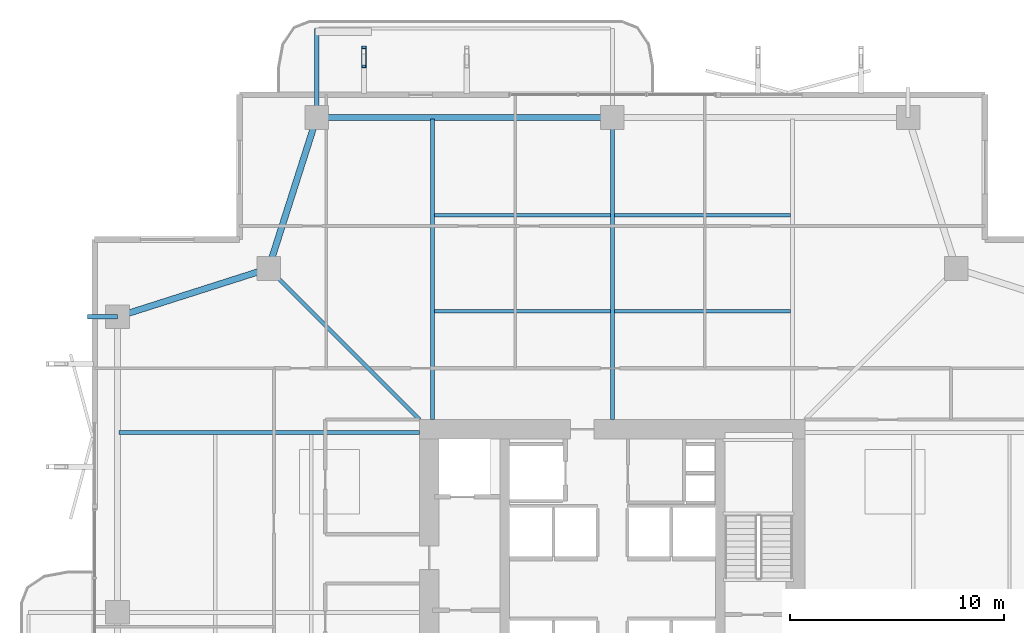
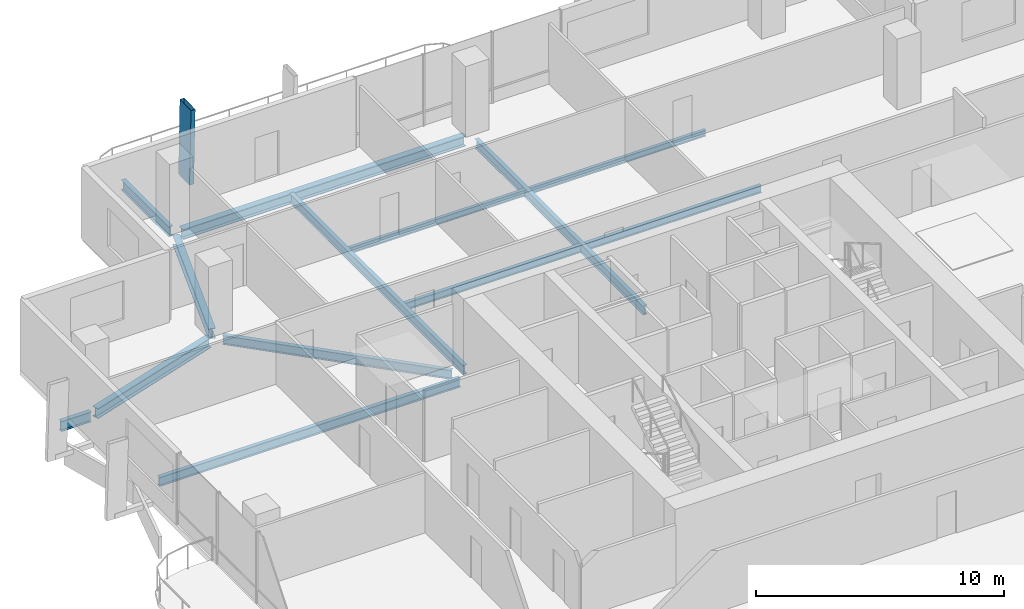
# One storey, part 12 of 24: 13 beams, 1 member.
"""IFC4 building model written with IfcOpenShell, lengths in metres."""

import ifcopenshell
import ifcopenshell.guid

model = None  # the IFC model being written
_history = None  # IfcOwnerHistory: only IFC2X3 demands one
_inside = {}  # id of a spatial element -> (the spatial element, [elements in it])
_under = {}  # id of a project, library or spatial element -> (it, [spatial elements below it])
_declared = {}  # id of a project -> (the project, [libraries it declares])
_typed = {}  # id of a type object -> (the type object, [elements of that type])
_made_of = {}  # id of a material, layer set ... -> (it, [elements and type objects made of it])


def new_model(schema):
    """Start an empty IFC model of exactly this schema.

    Asked for "IFC4X3", IfcOpenShell would pick the latest addendum, in which some entities
    have other attributes; the version numbers below select the first issue.
    IFC2X3 requires an IfcOwnerHistory on every rooted entity: one is made here for all.
    """
    global model, _history
    if schema == "IFC4X3":
        model = ifcopenshell.file(schema_version=(4, 3, 0, 0))
    else:
        model = ifcopenshell.file(schema=schema)
    _inside.clear()
    _under.clear()
    _declared.clear()
    _typed.clear()
    _made_of.clear()
    _history = None
    if model.schema == "IFC2X3":
        org = make("IfcOrganization", Name="unknown")
        user = make(
            "IfcPersonAndOrganization",
            ThePerson=make("IfcPerson", FamilyName="unknown"),
            TheOrganization=org,
        )
        app = make(
            "IfcApplication",
            ApplicationDeveloper=org,
            Version="unknown",
            ApplicationFullName="unknown",
            ApplicationIdentifier="unknown",
        )
        _history = make(
            "IfcOwnerHistory",
            OwningUser=user,
            OwningApplication=app,
            ChangeAction="ADDED",
            CreationDate=0,
        )
    return model


def make(cls, **values):
    """One entity of the class cls with the attributes given. An attribute that is None is left unset."""
    return model.create_entity(
        cls, **{name: value for name, value in values.items() if value is not None}
    )


def rooted(cls, **values):
    """An entity with a GlobalId (a new one), such as an element, a storey or a relation."""
    return make(cls, GlobalId=ifcopenshell.guid.new(), OwnerHistory=_history, **values)


def si_unit(unit_type, name, prefix=None):
    """IfcSIUnit, for example si_unit("LENGTHUNIT", "METRE", prefix="MILLI")."""
    return make("IfcSIUnit", UnitType=unit_type, Prefix=prefix, Name=name)


def assignment(units):
    """IfcUnitAssignment: the units of a project."""
    return None if units is None else make("IfcUnitAssignment", Units=units)


def point(xyz):
    """IfcCartesianPoint."""
    return None if xyz is None else make("IfcCartesianPoint", Coordinates=xyz)


def direction(xyz):
    """IfcDirection."""
    return None if xyz is None else make("IfcDirection", DirectionRatios=xyz)


def frame(location, z_axis=None, x_axis=None):
    """IfcAxis2Placement3D, a coordinate frame: its origin and axes. An axis left out is left unset."""
    return make(
        "IfcAxis2Placement3D",
        Location=point(location),
        Axis=direction(z_axis),
        RefDirection=direction(x_axis),
    )


def frame_2d(location, x_axis=None):
    """IfcAxis2Placement2D, a coordinate frame in the plane: its origin and x axis."""
    return make(
        "IfcAxis2Placement2D", Location=point(location), RefDirection=direction(x_axis)
    )


def origin():
    """The frame at (0, 0, 0) with its axes left unset."""
    return frame((0.0, 0.0, 0.0))


def origin_2d():
    """The frame at (0, 0) in the plane with its x axis left unset."""
    return frame_2d((0.0, 0.0))


def place(relative_to, where):
    """IfcLocalPlacement: puts the frame where relative to a parent placement (None: the world)."""
    return make(
        "IfcLocalPlacement", PlacementRelTo=relative_to, RelativePlacement=where
    )


def context(
    kind, dimensions, precision=None, world=None, true_north=None, identifier=None
):
    """IfcGeometricRepresentationContext, for example the 3D "Model" context."""
    return make(
        "IfcGeometricRepresentationContext",
        ContextIdentifier=identifier,
        ContextType=kind,
        CoordinateSpaceDimension=dimensions,
        Precision=precision,
        WorldCoordinateSystem=world,
        TrueNorth=true_north,
    )


def subcontext(parent, identifier, kind, view, scale=None):
    """IfcGeometricRepresentationSubContext, for example "Body" below "Model"."""
    return make(
        "IfcGeometricRepresentationSubContext",
        ContextIdentifier=identifier,
        ContextType=kind,
        ParentContext=parent,
        TargetScale=scale,
        TargetView=view,
    )


def project(units=None, contexts=None):
    """IfcProject with its units and contexts."""
    return rooted(
        "IfcProject",
        Name="project",
        RepresentationContexts=contexts,
        UnitsInContext=assignment(units),
    )


def spatial(cls, under=None, at=None, **own):
    """A site, building, storey or space (cls), placed at a placement, below another one or the project."""
    s = rooted(cls, ObjectPlacement=at, **own)
    if under is not None:
        _under.setdefault(under.id(), (under, []))[1].append(s)
    return s


def profile(cls, at=None, kind="AREA", **sizes):
    """A parametric profile (cls). Its sizes go by their IFC names, for example OverallWidth=200.0."""
    return make(cls, ProfileType=kind, Position=at, **sizes)


def hollow_rectangle(**sizes):
    """IfcRectangleHollowProfileDef."""
    return profile("IfcRectangleHollowProfileDef", **sizes)


def i_section(**sizes):
    """IfcIShapeProfileDef."""
    return profile("IfcIShapeProfileDef", **sizes)


def extrude(swept, where, along, depth):
    """IfcExtrudedAreaSolid: the profile swept, set in the frame where, extruded along a direction by depth."""
    return make(
        "IfcExtrudedAreaSolid",
        SweptArea=swept,
        Position=where,
        ExtrudedDirection=direction(along),
        Depth=depth,
    )


def shape(context_of_items, identifier, shape_type, items):
    """IfcShapeRepresentation: the items that make up one representation, for example the "Body"."""
    return make(
        "IfcShapeRepresentation",
        ContextOfItems=context_of_items,
        RepresentationIdentifier=identifier,
        RepresentationType=shape_type,
        Items=items,
    )


def material(Name=None, Category=None):
    """IfcMaterial."""
    return make("IfcMaterial", Name=Name, Category=Category)


def material_profile(
    of_material, cross_section, Name=None, Category=None, Priority=None
):
    """IfcMaterialProfile: a cross section and its material."""
    return make(
        "IfcMaterialProfile",
        Name=Name,
        Material=of_material,
        Profile=cross_section,
        Priority=Priority,
        Category=Category,
    )


def profile_set(profiles, Name=None, composite=None):
    """IfcMaterialProfileSet."""
    return make(
        "IfcMaterialProfileSet",
        Name=Name,
        MaterialProfiles=profiles,
        CompositeProfile=composite,
    )


def made_of(thing, what):
    """Note that an element or type object is made of a material, layer set ...; save() writes the relation."""
    if what is not None:
        _made_of.setdefault(what.id(), (what, []))[1].append(thing)
    return thing


def type_object(cls, material=None, **own):
    """A type object (cls), such as IfcWallType, which elements share."""
    return made_of(rooted(cls, **own), material)


def element(
    cls,
    number,
    at=None,
    inside=None,
    cuts=None,
    type_object=None,
    material=None,
    context=None,
    identifier="Body",
    shape_type=None,
    held_by="IfcProductDefinitionShape",
    body=None,
    shapes=None,
    **own,
):
    """One element of the class cls, such as IfcWall. Its Tag is "e" and its number.

    at: its placement. inside: the storey or other place that contains it. cuts: it is an
    opening in that element (IfcRelVoidsElement). A single representation is given by context,
    identifier, shape_type and body (its items); several are given by shapes. held_by: the class
    of the entity that holds the representations. save() writes the other relations.
    """
    e = rooted(cls, Tag="e%d" % number, ObjectPlacement=at, **own)
    if body is not None:
        shapes = [shape(context, identifier, shape_type, body)]
    if shapes is not None:
        e.Representation = make(held_by, Representations=shapes)
    if inside is not None:
        _inside.setdefault(inside.id(), (inside, []))[1].append(e)
    if cuts is not None:
        rooted(
            "IfcRelVoidsElement", RelatingBuildingElement=cuts, RelatedOpeningElement=e
        )
    if type_object is not None:
        _typed.setdefault(type_object.id(), (type_object, []))[1].append(e)
    return made_of(e, material)


def aggregate(whole, parts):
    """IfcRelAggregates: a whole, such as a stair, and the parts it consists of."""
    return rooted("IfcRelAggregates", RelatingObject=whole, RelatedObjects=parts)


def save(model, path):
    """Write the relations noted so far, then the file.

    IfcRelAggregates (storeys below a building ...), IfcRelContainedInSpatialStructure (elements
    in a storey), IfcRelDefinesByType, IfcRelAssociatesMaterial and IfcRelDeclares: one each for
    every whole, place, type object, material and project.
    """
    for whole, parts in _under.values():
        aggregate(whole, parts)
    for where, things in _inside.values():
        rooted(
            "IfcRelContainedInSpatialStructure",
            RelatedElements=things,
            RelatingStructure=where,
        )
    for kind, things in _typed.values():
        rooted("IfcRelDefinesByType", RelatedObjects=things, RelatingType=kind)
    for what, things in _made_of.values():
        rooted("IfcRelAssociatesMaterial", RelatedObjects=things, RelatingMaterial=what)
    for by, libraries in _declared.values():
        rooted("IfcRelDeclares", RelatingContext=by, RelatedDefinitions=libraries)
    model.write(path)


model = new_model("IFC4")

# Units and contexts
model_context = context("Model", 3, precision=1e-05, world=origin(), true_north=direction((0.0, 1.0)))
body_context = subcontext(model_context, "Body", "Model", "MODEL_VIEW")
ifc_project = project(units=[si_unit("LENGTHUNIT", "METRE"), si_unit("AREAUNIT", "SQUARE_METRE"), si_unit("VOLUMEUNIT", "CUBIC_METRE"), si_unit("PLANEANGLEUNIT", "RADIAN"), si_unit("MASSUNIT", "GRAM", prefix="KILO")], contexts=[model_context])

# Site, building, storey
site_placement = place(None, origin())
site = spatial("IfcSite", under=ifc_project, at=site_placement, CompositionType="ELEMENT")
building_placement = place(site_placement, origin())
building = spatial("IfcBuilding", under=site, at=building_placement, Name="Belovzor Exchange Tower", CompositionType="ELEMENT")
storey_placement = place(building_placement, frame((0.0, 0.0, 145.800048828125)))
storey = spatial("IfcBuildingStorey", under=building, at=storey_placement, Name="L35", CompositionType="ELEMENT", Elevation=145.800048828125)

# Beams
ifc_material_1 = material(Name="Steel S355", Category="steel")
ifc_material_profile_1 = material_profile(ifc_material_1, i_section(OverallWidth=0.199951171875, OverallDepth=0.5, WebThickness=0.01025390625, FlangeThickness=0.01611328125, at=origin_2d()))
ifc_profile_set_1 = profile_set([ifc_material_profile_1], Name="Steel S355")
beam_type_1 = type_object("IfcBeamType", Name="Planted Balcony Cantilever Beam IPE 500", PredefinedType="BEAM", material=ifc_profile_set_1)
beam_1_placement = place(storey_placement, frame((15.0, 52.202880859375, -0.505126953125), z_axis=(0.0, 1.0, 0.0), x_axis=(-1.0, 0.0, 0.0)))
element("IfcBeam", 1, at=beam_1_placement, inside=storey, type_object=beam_type_1, Name="BC-500 Planted Balcony Cantilever Beam IPE 500", PredefinedType="BEAM", context=body_context, shape_type="SweptSolid", body=[
    extrude(i_section(OverallWidth=0.199951171875, OverallDepth=0.5, WebThickness=0.01025390625, FlangeThickness=0.01611328125, at=origin_2d()), origin(), (0.0, 0.0, 1.0), 3.85009765625),
])
beam_2_placement = place(storey_placement, frame((5.699951171875, 42.60009765625, -0.505126953125), z_axis=(-1.0, 0.0, 0.0), x_axis=(0.0, -1.0, 0.0)))
element("IfcBeam", 2, at=beam_2_placement, inside=storey, type_object=beam_type_1, Name="BC-500 Planted Balcony Cantilever Beam IPE 500", PredefinedType="BEAM", context=body_context, shape_type="SweptSolid", body=[
    extrude(i_section(OverallWidth=0.199951171875, OverallDepth=0.5, WebThickness=0.01025390625, FlangeThickness=0.01611328125, at=origin_2d()), origin(), (0.0, 0.0, 1.0), 1.39990234375),
])
ifc_material_2 = material(Name="Steel S355", Category="steel")
ifc_material_profile_2 = material_profile(ifc_material_2, i_section(OverallWidth=0.169921875, OverallDepth=0.360107421875, WebThickness=0.008056640625, FlangeThickness=0.0126953125, at=origin_2d()))
ifc_profile_set_2 = profile_set([ifc_material_profile_2], Name="Steel S355")
beam_type_2 = type_object("IfcBeamType", Name="Secondary Infill Floor Joist IPE 360", PredefinedType="BEAM", material=ifc_profile_set_2)
for number, where, z_axis, x_axis, name in (
    (3, (20.4951171875, 42.84912109375, -0.43505859375), (1.0, 0.0, 0.0), (0.0, 1.0, 0.0), "FJ-360 Secondary Infill Floor Joist IPE 360"),
    (4, (28.89501953125, 42.84912109375, -0.43505859375), (1.0, 0.0, 0.0), (0.0, 1.0, 0.0), "FJ-360 Secondary Infill Floor Joist IPE 360"),
):
    element("IfcBeam", number, at=place(storey_placement, frame(where, z_axis=z_axis, x_axis=x_axis)), inside=storey, type_object=beam_type_2, Name=name, PredefinedType="BEAM", context=body_context, shape_type="SweptSolid", body=[
        extrude(i_section(OverallWidth=0.169921875, OverallDepth=0.360107421875, WebThickness=0.008056640625, FlangeThickness=0.0126953125, at=origin_2d()), origin(), (0.0, 0.0, 1.0), 8.2099609375),
    ])
ifc_material_3 = material(Name="Steel S355", Category="steel")
ifc_material_profile_3 = material_profile(ifc_material_3, i_section(OverallWidth=0.14990234375, OverallDepth=0.300048828125, WebThickness=0.007080078125, FlangeThickness=0.0107421875, at=origin_2d()))
ifc_profile_set_3 = profile_set([ifc_material_profile_3], Name="Steel S355")
beam_type_3 = type_object("IfcBeamType", Name="Secondary Trim Floor Joist IPE 300", PredefinedType="BEAM", material=ifc_profile_set_3)
for number, where, z_axis, x_axis, name in (
    (5, (20.4951171875, 47.3369140625, -0.405029296875), (1.0, 0.0, 0.0), (0.0, 1.0, 0.0), "FJ-300 Secondary Trim Floor Joist IPE 300"),
    (6, (28.89501953125, 47.3369140625, -0.405029296875), (1.0, 0.0, 0.0), (0.0, 1.0, 0.0), "FJ-300 Secondary Trim Floor Joist IPE 300"),
):
    element("IfcBeam", number, at=place(storey_placement, frame(where, z_axis=z_axis, x_axis=x_axis)), inside=storey, type_object=beam_type_3, Name=name, PredefinedType="BEAM", context=body_context, shape_type="SweptSolid", body=[
        extrude(i_section(OverallWidth=0.14990234375, OverallDepth=0.300048828125, WebThickness=0.007080078125, FlangeThickness=0.0107421875, at=origin_2d()), origin(), (0.0, 0.0, 1.0), 8.2099609375),
    ])

# Member
ifc_material_4 = material(Name="Extruded Architectural Terracotta on Steel S355 Carrier", Category="masonry")
ifc_material_profile_4 = material_profile(ifc_material_4, hollow_rectangle(XDim=0.199951171875, YDim=0.89990234375, WallThickness=0.011962890625, at=origin_2d()))
ifc_profile_set_4 = profile_set([ifc_material_profile_4], Name="Extruded Architectural Terracotta on Steel S355 Carrier")
member_type = type_object("IfcMemberType", Name="Sweeping Terracotta Baguette Fin Assembly 1250", PredefinedType="USERDEFINED", material=ifc_profile_set_4)
member_placement = place(storey_placement, frame((17.199951171875, 54.782958984375, -0.255126953125), z_axis=(0.0, -0.031689805028, 0.999497752002), x_axis=(1.0, 0.0, 0.0)))
element("IfcMember", 7, at=member_placement, inside=storey, type_object=member_type, Name="FIN-TC125 Terracotta Facade Fin L35 N1", ObjectType="FIN", PredefinedType="USERDEFINED", context=body_context, shape_type="SweptSolid", body=[
    extrude(hollow_rectangle(XDim=0.199951171875, YDim=0.89990234375, WallThickness=0.011962890625, at=origin_2d()), origin(), (0.0, 0.0, 1.0), 3.751953125),
])

# Beams
ifc_material_5 = material(Name="Steel S355", Category="steel")
ifc_material_profile_5 = material_profile(ifc_material_5, i_section(OverallWidth=0.18994140625, OverallDepth=0.449951171875, WebThickness=0.009521484375, FlangeThickness=0.0146484375, at=origin_2d()))
ifc_profile_set_5 = profile_set([ifc_material_profile_5], Name="Steel S355")
beam_type_4 = type_object("IfcBeamType", Name="Zone 2-4 Radial Composite Floor Beam IPE 450", PredefinedType="BEAM", material=ifc_profile_set_5)
beam_3_placement = place(storey_placement, frame((20.39990234375, 37.800048828125, -0.47998046875), z_axis=(0.0, 1.0, 0.0), x_axis=(-1.0, 0.0, 0.0)))
element("IfcBeam", 8, at=beam_3_placement, inside=storey, type_object=beam_type_4, Name="FB-450 Zone 2-4 Radial Composite Floor Beam IPE 450", PredefinedType="BEAM", context=body_context, shape_type="SweptSolid", body=[
    extrude(i_section(OverallWidth=0.18994140625, OverallDepth=0.449951171875, WebThickness=0.009521484375, FlangeThickness=0.0146484375, at=origin_2d()), origin(), (0.0, 0.0, 1.0), 14.02490234375),
])
beam_4_placement = place(storey_placement, frame((28.800048828125, 37.800048828125, -0.47998046875), z_axis=(0.0, 1.0, 0.0), x_axis=(-1.0, 0.0, 0.0)))
element("IfcBeam", 9, at=beam_4_placement, inside=storey, type_object=beam_type_4, Name="FB-450 Zone 2-4 Radial Composite Floor Beam IPE 450", PredefinedType="BEAM", context=body_context, shape_type="SweptSolid", body=[
    extrude(i_section(OverallWidth=0.18994140625, OverallDepth=0.449951171875, WebThickness=0.009521484375, FlangeThickness=0.0146484375, at=origin_2d()), origin(), (0.0, 0.0, 1.0), 13.615966796875),
])
beam_5_placement = place(storey_placement, frame((19.800048828125, 37.199951171875, -0.47998046875), z_axis=(-1.0, 0.0, 0.0), x_axis=(0.0, -1.0, 0.0)))
element("IfcBeam", 10, at=beam_5_placement, inside=storey, type_object=beam_type_4, Name="FB-450 Zone 2-4 Radial Composite Floor Beam IPE 450", PredefinedType="BEAM", context=body_context, shape_type="SweptSolid", body=[
    extrude(i_section(OverallWidth=0.18994140625, OverallDepth=0.449951171875, WebThickness=0.009521484375, FlangeThickness=0.0146484375, at=origin_2d()), origin(), (0.0, 0.0, 1.0), 14.025146484375),
])
beam_6_placement = place(storey_placement, frame((19.800048828125, 37.800048828125, -0.47998046875), z_axis=(-0.707119521505, 0.707094040639, 0.0), x_axis=(-0.707094040639, -0.707119521505, 0.0)))
element("IfcBeam", 11, at=beam_6_placement, inside=storey, type_object=beam_type_4, Name="FB-450 Zone 2-4 Radial Composite Floor Beam IPE 450", PredefinedType="BEAM", context=body_context, shape_type="SweptSolid", body=[
    extrude(i_section(OverallWidth=0.18994140625, OverallDepth=0.449951171875, WebThickness=0.009521484375, FlangeThickness=0.0146484375, at=origin_2d()), origin(), (0.0, 0.0, 1.0), 9.581298828125),
])
ifc_material_6 = material(Name="Steel S355", Category="steel")
ifc_material_profile_6 = material_profile(ifc_material_6, i_section(OverallWidth=0.300048828125, OverallDepth=0.5, WebThickness=0.014404296875, FlangeThickness=0.028076171875, at=origin_2d()))
ifc_profile_set_6 = profile_set([ifc_material_profile_6], Name="Steel S355")
beam_type_5 = type_object("IfcBeamType", Name="Zone 3 Waist Primary Girder HEB 500", PredefinedType="BEAM", material=ifc_profile_set_6)
beam_7_placement = place(storey_placement, frame((28.498046875, 51.89990234375, -0.505126953125), z_axis=(-1.0, 0.0, 0.0), x_axis=(0.0, -1.0, 0.0)))
element("IfcBeam", 12, at=beam_7_placement, inside=storey, type_object=beam_type_5, Name="FG-Z3 Zone 3 Waist Primary Girder HEB 500", PredefinedType="BEAM", context=body_context, shape_type="SweptSolid", body=[
    extrude(i_section(OverallWidth=0.300048828125, OverallDepth=0.5, WebThickness=0.014404296875, FlangeThickness=0.028076171875, at=origin_2d()), origin(), (0.0, 0.0, 1.0), 13.195068359375),
])
for number, where, z_axis, x_axis, name in (
    (13, (14.907958984375, 51.612060546875, -0.505126953125), (-0.304001325621, -0.952671608699, 0.0), (0.952671608699, -0.304001325621, 0.0), "FG-Z3 Zone 3 Waist Primary Girder HEB 500"),
    (14, (12.4619140625, 44.758056640625, -0.505126953125), (-0.952657882792, -0.304044336164, 0.0), (0.304044336164, -0.952657882792, 0.0), "FG-Z3 Zone 3 Waist Primary Girder HEB 500"),
):
    element("IfcBeam", number, at=place(storey_placement, frame(where, z_axis=z_axis, x_axis=x_axis)), inside=storey, type_object=beam_type_5, Name=name, PredefinedType="BEAM", context=body_context, shape_type="SweptSolid", body=[
        extrude(i_section(OverallWidth=0.300048828125, OverallDepth=0.5, WebThickness=0.014404296875, FlangeThickness=0.028076171875, at=origin_2d()), origin(), (0.0, 0.0, 1.0), 6.795654296875),
    ])

save(model, "model.ifc")
